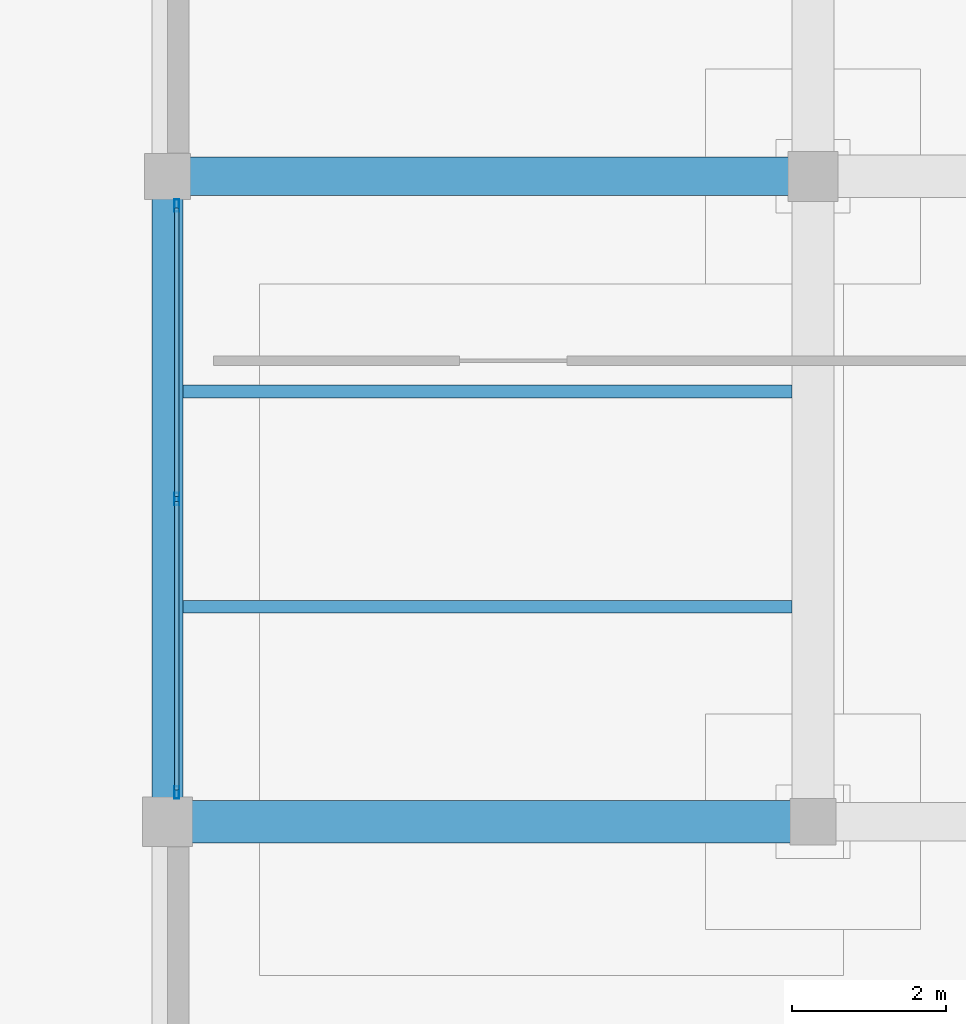
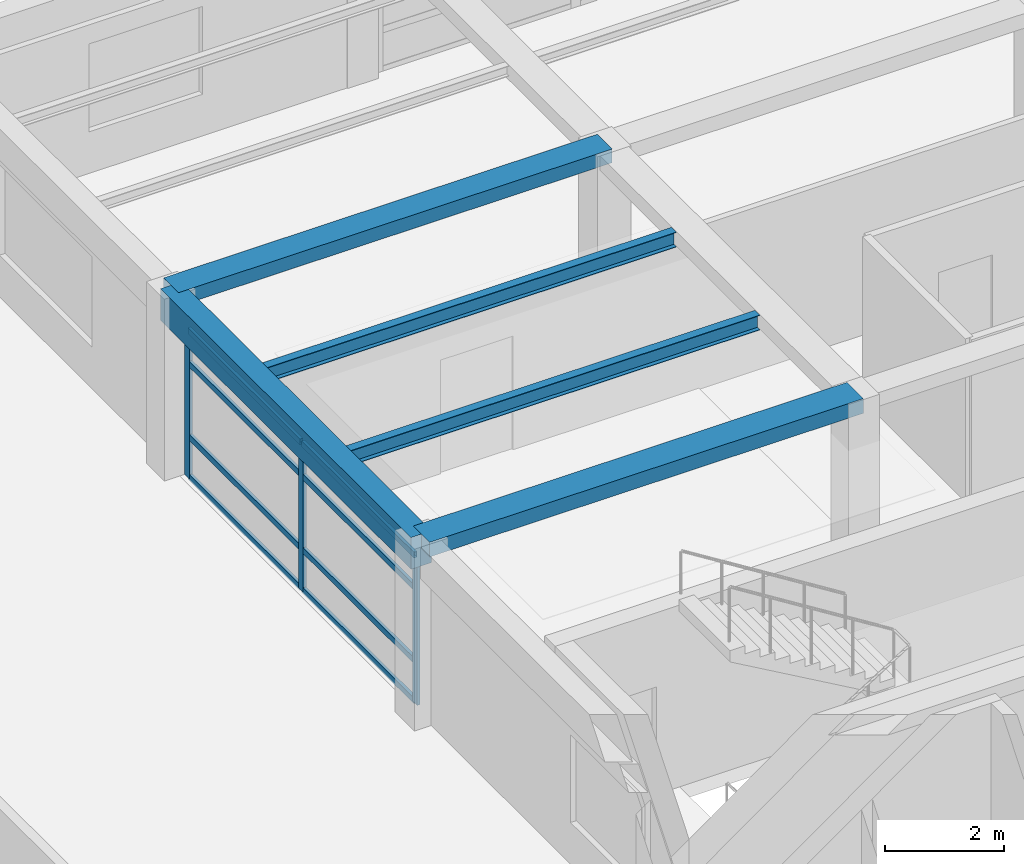
# One storey, part 7 of 26: 11 members, 5 beams, 1 element without a shape of its own.
"""IFC4 building model written with IfcOpenShell, lengths in metres."""

from ifc_helpers import new_model, si_unit, direction, frame, origin, origin_2d, place, context, subcontext, project, spatial, rectangle, hollow_rectangle, i_section, extrude, material, material_profile, profile_set, type_object, element, aggregate, save


model = new_model("IFC4")

# Units and contexts
model_context = context("Model", 3, precision=1e-05, world=origin(), true_north=direction((0.0, 1.0)))
body_context = subcontext(model_context, "Body", "Model", "MODEL_VIEW")
ifc_project = project(units=[si_unit("LENGTHUNIT", "METRE"), si_unit("AREAUNIT", "SQUARE_METRE"), si_unit("VOLUMEUNIT", "CUBIC_METRE"), si_unit("PLANEANGLEUNIT", "RADIAN"), si_unit("MASSUNIT", "GRAM", prefix="KILO")], contexts=[model_context])

# Site, building, storey
site_placement = place(None, origin())
site = spatial("IfcSite", under=ifc_project, at=site_placement, CompositionType="ELEMENT")
building_placement = place(site_placement, origin())
building = spatial("IfcBuilding", under=site, at=building_placement, Name="Almacenes y Pasaje Nevantli", CompositionType="ELEMENT")
storey_placement = place(building_placement, frame((0.0, 0.0, 42.699951171875)))
storey = spatial("IfcBuildingStorey", under=building, at=storey_placement, Name="L10", CompositionType="ELEMENT", Elevation=42.699951171875)

# Beams
ifc_material_1 = material(Name="Concrete C35/45", Category="concrete")
ifc_material_profile_1 = material_profile(ifc_material_1, rectangle(XDim=0.39990234375, YDim=0.64990234375, at=origin_2d()), Name="RC-BM-400x650")
ifc_profile_set_1 = profile_set([ifc_material_profile_1], Name="Concrete C35/45")
beam_type_1 = type_object("IfcBeamType", Name="BM-RC-400x650", PredefinedType="SPANDREL", material=ifc_profile_set_1)
beam_1_placement = place(storey_placement, frame((117.60009765625, 84.0, 3.39501953125), z_axis=(0.0, 1.0, 0.0), x_axis=(-1.0, 0.0, 0.0)))
element("IfcBeam", 1, at=beam_1_placement, inside=storey, type_object=beam_type_1, Name="L10 North-South Reinforced Concrete Beam #3824", PredefinedType="SPANDREL", context=body_context, shape_type="SweptSolid", body=[
    extrude(rectangle(XDim=0.39990234375, YDim=0.64990234375, at=origin_2d()), origin(), (0.0, 0.0, 1.0), 8.39990234375),
])
ifc_material_2 = material(Name="Concrete C35/45", Category="concrete")
ifc_material_profile_2 = material_profile(ifc_material_2, rectangle(XDim=0.5, YDim=0.280029296875, at=origin_2d()), Name="RC-BM-500x280")
ifc_profile_set_2 = profile_set([ifc_material_profile_2], Name="Concrete C35/45")
beam_type_2 = type_object("IfcBeamType", Name="BM-RC-500x280", PredefinedType="BEAM", material=ifc_profile_set_2)
beam_2_placement = place(storey_placement, frame((117.60009765625, 92.39990234375, 3.580078125), z_axis=(1.0, 0.0, 0.0), x_axis=(0.0, 1.0, 0.0)))
element("IfcBeam", 2, at=beam_2_placement, inside=storey, type_object=beam_type_2, Name="L10 East-West Reinforced Concrete Beam #3812", PredefinedType="BEAM", context=body_context, shape_type="SweptSolid", body=[
    extrude(rectangle(XDim=0.5, YDim=0.280029296875, at=origin_2d()), origin(), (0.0, 0.0, 1.0), 8.39990234375),
])
ifc_material_3 = material(Name="Concrete C35/45", Category="concrete")
ifc_material_profile_3 = material_profile(ifc_material_3, rectangle(XDim=0.550048828125, YDim=0.300048828125, at=origin_2d()), Name="RC-BM-550x300")
ifc_profile_set_3 = profile_set([ifc_material_profile_3], Name="Concrete C35/45")
beam_type_3 = type_object("IfcBeamType", Name="BM-RC-550x300", PredefinedType="BEAM", material=ifc_profile_set_3)
beam_3_placement = place(storey_placement, frame((117.60009765625, 84.0, 3.570068359375), z_axis=(1.0, 0.0, 0.0), x_axis=(0.0, 1.0, 0.0)))
element("IfcBeam", 3, at=beam_3_placement, inside=storey, type_object=beam_type_3, Name="L10 East-West Reinforced Concrete Beam #3807", PredefinedType="BEAM", context=body_context, shape_type="SweptSolid", body=[
    extrude(rectangle(XDim=0.550048828125, YDim=0.300048828125, at=origin_2d()), origin(), (0.0, 0.0, 1.0), 8.39990234375),
])
ifc_material_4 = material(Name="Steel ASTM A992", Category="steel")
ifc_material_profile_4 = material_profile(ifc_material_4, i_section(OverallWidth=0.1650390625, OverallDepth=0.306884765625, WebThickness=0.006591796875, FlangeThickness=0.01025390625, at=origin_2d()), Name="IR 305x44.6")
ifc_profile_set_4 = profile_set([ifc_material_profile_4], Name="Steel ASTM A992")
beam_type_4 = type_object("IfcBeamType", Name="BM-STL-IR-305x44p6", PredefinedType="JOIST", material=ifc_profile_set_4)
for number, where, z_axis, x_axis, name in (
    (4, (117.800048828125, 86.800048828125, 3.55859375), (1.0, 0.0, 0.0), (0.0, 1.0, 0.0), "L10 Secondary Steel Floor Joist #1489"),
    (5, (117.800048828125, 89.60009765625, 3.55859375), (1.0, 0.0, 0.0), (0.0, 1.0, 0.0), "L10 Secondary Steel Floor Joist #1490"),
):
    element("IfcBeam", number, at=place(storey_placement, frame(where, z_axis=z_axis, x_axis=x_axis)), inside=storey, type_object=beam_type_4, Name=name, PredefinedType="JOIST", context=body_context, shape_type="SweptSolid", body=[
        extrude(i_section(OverallWidth=0.1650390625, OverallDepth=0.306884765625, WebThickness=0.006591796875, FlangeThickness=0.01025390625, at=origin_2d()), origin(), (0.0, 0.0, 1.0), 7.925048828125),
    ])

# Curtain wall, members
ifc_material_5 = material(Name="Thermally Broken Aluminium and Low-E Glass", Category="aluminium")
curtain_wall_type = type_object("IfcCurtainWallType", Name="CW-UNIT-TOWER", PredefinedType="USERDEFINED", material=ifc_material_5)
curtain_wall_placement = place(storey_placement, origin())
curtain_wall = element("IfcCurtainWall", 6, at=curtain_wall_placement, inside=storey, type_object=curtain_wall_type, Name="L10 Tower West Curtain Wall Bay 11", ObjectType="UNITIZED CURTAIN WALL", PredefinedType="USERDEFINED")
ifc_material_6 = material(Name="Thermally Broken Anodized Aluminium", Category="aluminium")
ifc_material_profile_5 = material_profile(ifc_material_6, hollow_rectangle(XDim=0.06005859375, YDim=0.159912109375, WallThickness=0.00390625, at=origin_2d()), Name="ALU-MUL-60x160")
ifc_profile_set_5 = profile_set([ifc_material_profile_5], Name="Thermally Broken Anodized Aluminium")
member_type_1 = type_object("IfcMemberType", Name="CW-MUL-180", PredefinedType="MULLION", material=ifc_profile_set_5)
member_1_placement = place(storey_placement, frame((117.719970703125, 84.3798828125, 0.0), z_axis=(0.0, 0.0, 1.0), x_axis=(-1.0, 0.0, 0.0)))
member_1 = element("IfcMember", 7, at=member_1_placement, type_object=member_type_1, Name="CW-L10-148 mullion 1", PredefinedType="MULLION", context=body_context, shape_type="SweptSolid", body=[
    extrude(hollow_rectangle(XDim=0.06005859375, YDim=0.159912109375, WallThickness=0.00390625, at=origin_2d()), origin(), (0.0, 0.0, 1.0), 3.0400390625),
])
member_2_placement = place(storey_placement, frame((117.719970703125, 88.199951171875, 0.0), z_axis=(0.0, 0.0, 1.0), x_axis=(-1.0, 0.0, 0.0)))
member_2 = element("IfcMember", 8, at=member_2_placement, type_object=member_type_1, Name="CW-L10-148 mullion 2", PredefinedType="MULLION", context=body_context, shape_type="SweptSolid", body=[
    extrude(hollow_rectangle(XDim=0.06005859375, YDim=0.159912109375, WallThickness=0.00390625, at=origin_2d()), origin(), (0.0, 0.0, 1.0), 3.0400390625),
])
member_3_placement = place(storey_placement, frame((117.719970703125, 92.02001953125, 0.0), z_axis=(0.0, 0.0, 1.0), x_axis=(-1.0, 0.0, 0.0)))
member_3 = element("IfcMember", 9, at=member_3_placement, type_object=member_type_1, Name="CW-L10-148 mullion 3", PredefinedType="MULLION", context=body_context, shape_type="SweptSolid", body=[
    extrude(hollow_rectangle(XDim=0.06005859375, YDim=0.159912109375, WallThickness=0.00390625, at=origin_2d()), origin(), (0.0, 0.0, 1.0), 3.0400390625),
])
ifc_material_7 = material(Name="Thermally Broken Anodized Aluminium", Category="aluminium")
ifc_material_profile_6 = material_profile(ifc_material_7, hollow_rectangle(XDim=0.06005859375, YDim=0.1201171875, WallThickness=0.00341796875, at=origin_2d()), Name="ALU-TRN-60x120")
ifc_profile_set_6 = profile_set([ifc_material_profile_6], Name="Thermally Broken Anodized Aluminium")
member_type_2 = type_object("IfcMemberType", Name="CW-TRN-130", PredefinedType="USERDEFINED", material=ifc_profile_set_6)
member_4_placement = place(storey_placement, frame((117.719970703125, 84.409912109375, 0.030029296875), z_axis=(0.0, 1.0, 0.0), x_axis=(-1.0, 0.0, 0.0)))
member_4 = element("IfcMember", 10, at=member_4_placement, type_object=member_type_2, Name="CW-L10-148 transom 1.1", ObjectType="TRANSOM", PredefinedType="USERDEFINED", context=body_context, shape_type="SweptSolid", body=[
    extrude(hollow_rectangle(XDim=0.06005859375, YDim=0.1201171875, WallThickness=0.00341796875, at=origin_2d()), origin(), (0.0, 0.0, 1.0), 3.760009765625),
])
member_5_placement = place(storey_placement, frame((117.719970703125, 84.409912109375, 0.85009765625), z_axis=(0.0, 1.0, 0.0), x_axis=(-1.0, 0.0, 0.0)))
member_5 = element("IfcMember", 11, at=member_5_placement, type_object=member_type_2, Name="CW-L10-148 transom 1.2", ObjectType="TRANSOM", PredefinedType="USERDEFINED", context=body_context, shape_type="SweptSolid", body=[
    extrude(hollow_rectangle(XDim=0.06005859375, YDim=0.1201171875, WallThickness=0.00341796875, at=origin_2d()), origin(), (0.0, 0.0, 1.0), 3.760009765625),
])
member_6_placement = place(storey_placement, frame((117.719970703125, 84.409912109375, 2.35009765625), z_axis=(0.0, 1.0, 0.0), x_axis=(-1.0, 0.0, 0.0)))
member_6 = element("IfcMember", 12, at=member_6_placement, type_object=member_type_2, Name="CW-L10-148 transom 1.3", ObjectType="TRANSOM", PredefinedType="USERDEFINED", context=body_context, shape_type="SweptSolid", body=[
    extrude(hollow_rectangle(XDim=0.06005859375, YDim=0.1201171875, WallThickness=0.00341796875, at=origin_2d()), origin(), (0.0, 0.0, 1.0), 3.760009765625),
])
member_7_placement = place(storey_placement, frame((117.719970703125, 84.409912109375, 3.010009765625), z_axis=(0.0, 1.0, 0.0), x_axis=(-1.0, 0.0, 0.0)))
member_7 = element("IfcMember", 13, at=member_7_placement, type_object=member_type_2, Name="CW-L10-148 transom 1.4", ObjectType="TRANSOM", PredefinedType="USERDEFINED", context=body_context, shape_type="SweptSolid", body=[
    extrude(hollow_rectangle(XDim=0.06005859375, YDim=0.1201171875, WallThickness=0.00341796875, at=origin_2d()), origin(), (0.0, 0.0, 1.0), 3.760009765625),
])
member_8_placement = place(storey_placement, frame((117.719970703125, 88.22998046875, 0.030029296875), z_axis=(0.0, 1.0, 0.0), x_axis=(-1.0, 0.0, 0.0)))
member_8 = element("IfcMember", 14, at=member_8_placement, type_object=member_type_2, Name="CW-L10-148 transom 2.1", ObjectType="TRANSOM", PredefinedType="USERDEFINED", context=body_context, shape_type="SweptSolid", body=[
    extrude(hollow_rectangle(XDim=0.06005859375, YDim=0.1201171875, WallThickness=0.00341796875, at=origin_2d()), origin(), (0.0, 0.0, 1.0), 3.760009765625),
])
member_9_placement = place(storey_placement, frame((117.719970703125, 88.22998046875, 0.85009765625), z_axis=(0.0, 1.0, 0.0), x_axis=(-1.0, 0.0, 0.0)))
member_9 = element("IfcMember", 15, at=member_9_placement, type_object=member_type_2, Name="CW-L10-148 transom 2.2", ObjectType="TRANSOM", PredefinedType="USERDEFINED", context=body_context, shape_type="SweptSolid", body=[
    extrude(hollow_rectangle(XDim=0.06005859375, YDim=0.1201171875, WallThickness=0.00341796875, at=origin_2d()), origin(), (0.0, 0.0, 1.0), 3.760009765625),
])
member_10_placement = place(storey_placement, frame((117.719970703125, 88.22998046875, 2.35009765625), z_axis=(0.0, 1.0, 0.0), x_axis=(-1.0, 0.0, 0.0)))
member_10 = element("IfcMember", 16, at=member_10_placement, type_object=member_type_2, Name="CW-L10-148 transom 2.3", ObjectType="TRANSOM", PredefinedType="USERDEFINED", context=body_context, shape_type="SweptSolid", body=[
    extrude(hollow_rectangle(XDim=0.06005859375, YDim=0.1201171875, WallThickness=0.00341796875, at=origin_2d()), origin(), (0.0, 0.0, 1.0), 3.760009765625),
])
member_11_placement = place(storey_placement, frame((117.719970703125, 88.22998046875, 3.010009765625), z_axis=(0.0, 1.0, 0.0), x_axis=(-1.0, 0.0, 0.0)))
member_11 = element("IfcMember", 17, at=member_11_placement, type_object=member_type_2, Name="CW-L10-148 transom 2.4", ObjectType="TRANSOM", PredefinedType="USERDEFINED", context=body_context, shape_type="SweptSolid", body=[
    extrude(hollow_rectangle(XDim=0.06005859375, YDim=0.1201171875, WallThickness=0.00341796875, at=origin_2d()), origin(), (0.0, 0.0, 1.0), 3.760009765625),
])
aggregate(curtain_wall, [member_1, member_2, member_3, member_4, member_5, member_6, member_7, member_8, member_9, member_10, member_11])

save(model, "model.ifc")
